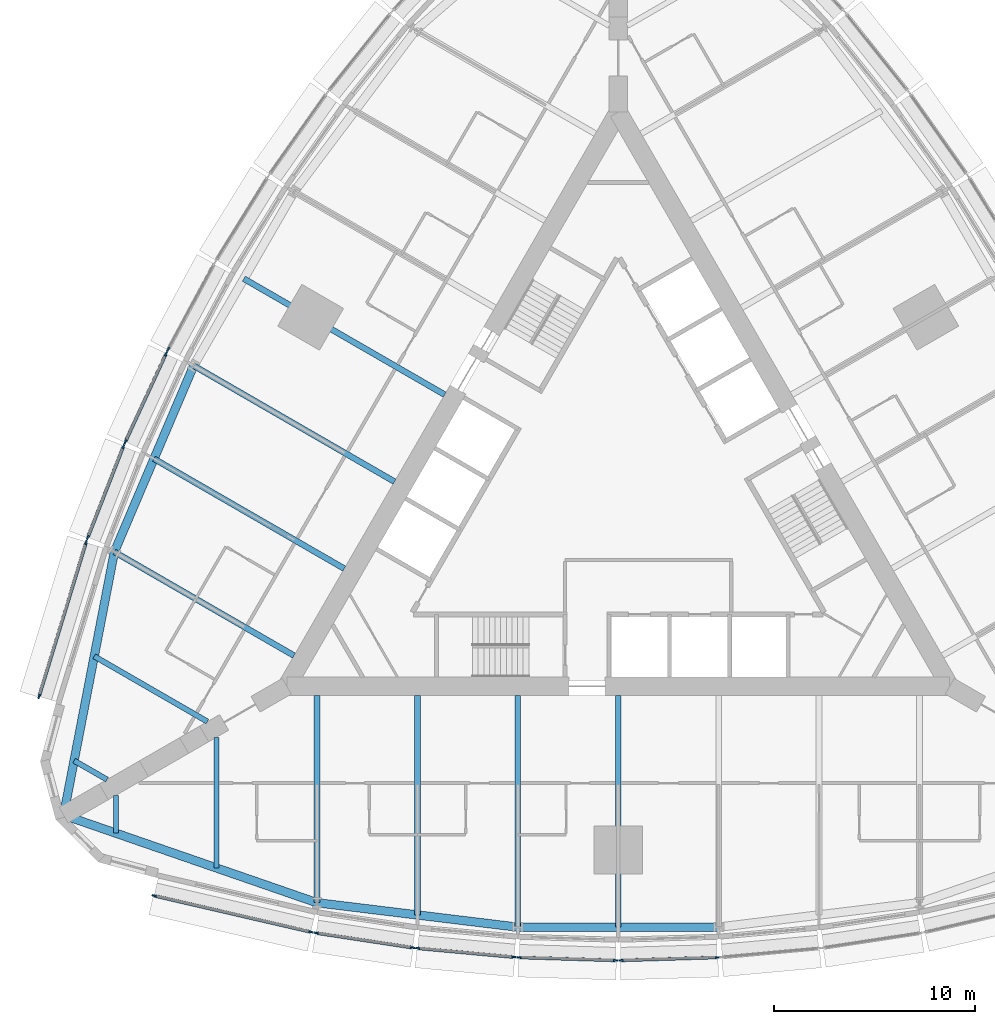
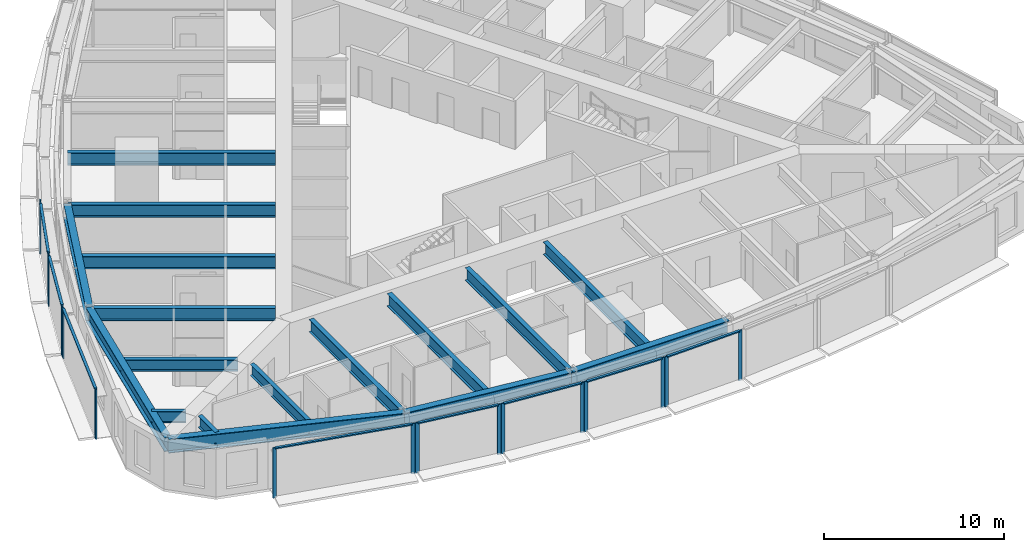
# One storey, part 2 of 14: 25 members, 17 beams, 9 elements without a shape of their own.
"""IFC4 building model written with IfcOpenShell, lengths in metres."""

import ifcopenshell
import ifcopenshell.guid

model = None  # the IFC model being written
_history = None  # IfcOwnerHistory: only IFC2X3 demands one
_inside = {}  # id of a spatial element -> (the spatial element, [elements in it])
_under = {}  # id of a project, library or spatial element -> (it, [spatial elements below it])
_declared = {}  # id of a project -> (the project, [libraries it declares])
_typed = {}  # id of a type object -> (the type object, [elements of that type])
_made_of = {}  # id of a material, layer set ... -> (it, [elements and type objects made of it])


def new_model(schema):
    """Start an empty IFC model of exactly this schema.

    Asked for "IFC4X3", IfcOpenShell would pick the latest addendum, in which some entities
    have other attributes; the version numbers below select the first issue.
    IFC2X3 requires an IfcOwnerHistory on every rooted entity: one is made here for all.
    """
    global model, _history
    if schema == "IFC4X3":
        model = ifcopenshell.file(schema_version=(4, 3, 0, 0))
    else:
        model = ifcopenshell.file(schema=schema)
    _inside.clear()
    _under.clear()
    _declared.clear()
    _typed.clear()
    _made_of.clear()
    _history = None
    if model.schema == "IFC2X3":
        org = make("IfcOrganization", Name="unknown")
        user = make(
            "IfcPersonAndOrganization",
            ThePerson=make("IfcPerson", FamilyName="unknown"),
            TheOrganization=org,
        )
        app = make(
            "IfcApplication",
            ApplicationDeveloper=org,
            Version="unknown",
            ApplicationFullName="unknown",
            ApplicationIdentifier="unknown",
        )
        _history = make(
            "IfcOwnerHistory",
            OwningUser=user,
            OwningApplication=app,
            ChangeAction="ADDED",
            CreationDate=0,
        )
    return model


def make(cls, **values):
    """One entity of the class cls with the attributes given. An attribute that is None is left unset."""
    return model.create_entity(
        cls, **{name: value for name, value in values.items() if value is not None}
    )


def rooted(cls, **values):
    """An entity with a GlobalId (a new one), such as an element, a storey or a relation."""
    return make(cls, GlobalId=ifcopenshell.guid.new(), OwnerHistory=_history, **values)


def si_unit(unit_type, name, prefix=None):
    """IfcSIUnit, for example si_unit("LENGTHUNIT", "METRE", prefix="MILLI")."""
    return make("IfcSIUnit", UnitType=unit_type, Prefix=prefix, Name=name)


def assignment(units):
    """IfcUnitAssignment: the units of a project."""
    return None if units is None else make("IfcUnitAssignment", Units=units)


def point(xyz):
    """IfcCartesianPoint."""
    return None if xyz is None else make("IfcCartesianPoint", Coordinates=xyz)


def direction(xyz):
    """IfcDirection."""
    return None if xyz is None else make("IfcDirection", DirectionRatios=xyz)


def frame(location, z_axis=None, x_axis=None):
    """IfcAxis2Placement3D, a coordinate frame: its origin and axes. An axis left out is left unset."""
    return make(
        "IfcAxis2Placement3D",
        Location=point(location),
        Axis=direction(z_axis),
        RefDirection=direction(x_axis),
    )


def frame_2d(location, x_axis=None):
    """IfcAxis2Placement2D, a coordinate frame in the plane: its origin and x axis."""
    return make(
        "IfcAxis2Placement2D", Location=point(location), RefDirection=direction(x_axis)
    )


def origin():
    """The frame at (0, 0, 0) with its axes left unset."""
    return frame((0.0, 0.0, 0.0))


def origin_2d():
    """The frame at (0, 0) in the plane with its x axis left unset."""
    return frame_2d((0.0, 0.0))


def place(relative_to, where):
    """IfcLocalPlacement: puts the frame where relative to a parent placement (None: the world)."""
    return make(
        "IfcLocalPlacement", PlacementRelTo=relative_to, RelativePlacement=where
    )


def context(
    kind, dimensions, precision=None, world=None, true_north=None, identifier=None
):
    """IfcGeometricRepresentationContext, for example the 3D "Model" context."""
    return make(
        "IfcGeometricRepresentationContext",
        ContextIdentifier=identifier,
        ContextType=kind,
        CoordinateSpaceDimension=dimensions,
        Precision=precision,
        WorldCoordinateSystem=world,
        TrueNorth=true_north,
    )


def subcontext(parent, identifier, kind, view, scale=None):
    """IfcGeometricRepresentationSubContext, for example "Body" below "Model"."""
    return make(
        "IfcGeometricRepresentationSubContext",
        ContextIdentifier=identifier,
        ContextType=kind,
        ParentContext=parent,
        TargetScale=scale,
        TargetView=view,
    )


def project(units=None, contexts=None):
    """IfcProject with its units and contexts."""
    return rooted(
        "IfcProject",
        Name="project",
        RepresentationContexts=contexts,
        UnitsInContext=assignment(units),
    )


def spatial(cls, under=None, at=None, **own):
    """A site, building, storey or space (cls), placed at a placement, below another one or the project."""
    s = rooted(cls, ObjectPlacement=at, **own)
    if under is not None:
        _under.setdefault(under.id(), (under, []))[1].append(s)
    return s


def profile(cls, at=None, kind="AREA", **sizes):
    """A parametric profile (cls). Its sizes go by their IFC names, for example OverallWidth=200.0."""
    return make(cls, ProfileType=kind, Position=at, **sizes)


def rectangle(**sizes):
    """IfcRectangleProfileDef."""
    return profile("IfcRectangleProfileDef", **sizes)


def i_section(**sizes):
    """IfcIShapeProfileDef."""
    return profile("IfcIShapeProfileDef", **sizes)


def extrude(swept, where, along, depth):
    """IfcExtrudedAreaSolid: the profile swept, set in the frame where, extruded along a direction by depth."""
    return make(
        "IfcExtrudedAreaSolid",
        SweptArea=swept,
        Position=where,
        ExtrudedDirection=direction(along),
        Depth=depth,
    )


def shape(context_of_items, identifier, shape_type, items):
    """IfcShapeRepresentation: the items that make up one representation, for example the "Body"."""
    return make(
        "IfcShapeRepresentation",
        ContextOfItems=context_of_items,
        RepresentationIdentifier=identifier,
        RepresentationType=shape_type,
        Items=items,
    )


def material(Name=None, Category=None):
    """IfcMaterial."""
    return make("IfcMaterial", Name=Name, Category=Category)


def material_profile(
    of_material, cross_section, Name=None, Category=None, Priority=None
):
    """IfcMaterialProfile: a cross section and its material."""
    return make(
        "IfcMaterialProfile",
        Name=Name,
        Material=of_material,
        Profile=cross_section,
        Priority=Priority,
        Category=Category,
    )


def profile_set(profiles, Name=None, composite=None):
    """IfcMaterialProfileSet."""
    return make(
        "IfcMaterialProfileSet",
        Name=Name,
        MaterialProfiles=profiles,
        CompositeProfile=composite,
    )


def made_of(thing, what):
    """Note that an element or type object is made of a material, layer set ...; save() writes the relation."""
    if what is not None:
        _made_of.setdefault(what.id(), (what, []))[1].append(thing)
    return thing


def type_object(cls, material=None, **own):
    """A type object (cls), such as IfcWallType, which elements share."""
    return made_of(rooted(cls, **own), material)


def element(
    cls,
    number,
    at=None,
    inside=None,
    cuts=None,
    type_object=None,
    material=None,
    context=None,
    identifier="Body",
    shape_type=None,
    held_by="IfcProductDefinitionShape",
    body=None,
    shapes=None,
    **own,
):
    """One element of the class cls, such as IfcWall. Its Tag is "e" and its number.

    at: its placement. inside: the storey or other place that contains it. cuts: it is an
    opening in that element (IfcRelVoidsElement). A single representation is given by context,
    identifier, shape_type and body (its items); several are given by shapes. held_by: the class
    of the entity that holds the representations. save() writes the other relations.
    """
    e = rooted(cls, Tag="e%d" % number, ObjectPlacement=at, **own)
    if body is not None:
        shapes = [shape(context, identifier, shape_type, body)]
    if shapes is not None:
        e.Representation = make(held_by, Representations=shapes)
    if inside is not None:
        _inside.setdefault(inside.id(), (inside, []))[1].append(e)
    if cuts is not None:
        rooted(
            "IfcRelVoidsElement", RelatingBuildingElement=cuts, RelatedOpeningElement=e
        )
    if type_object is not None:
        _typed.setdefault(type_object.id(), (type_object, []))[1].append(e)
    return made_of(e, material)


def aggregate(whole, parts):
    """IfcRelAggregates: a whole, such as a stair, and the parts it consists of."""
    return rooted("IfcRelAggregates", RelatingObject=whole, RelatedObjects=parts)


def save(model, path):
    """Write the relations noted so far, then the file.

    IfcRelAggregates (storeys below a building ...), IfcRelContainedInSpatialStructure (elements
    in a storey), IfcRelDefinesByType, IfcRelAssociatesMaterial and IfcRelDeclares: one each for
    every whole, place, type object, material and project.
    """
    for whole, parts in _under.values():
        aggregate(whole, parts)
    for where, things in _inside.values():
        rooted(
            "IfcRelContainedInSpatialStructure",
            RelatedElements=things,
            RelatingStructure=where,
        )
    for kind, things in _typed.values():
        rooted("IfcRelDefinesByType", RelatedObjects=things, RelatingType=kind)
    for what, things in _made_of.values():
        rooted("IfcRelAssociatesMaterial", RelatedObjects=things, RelatingMaterial=what)
    for by, libraries in _declared.values():
        rooted("IfcRelDeclares", RelatingContext=by, RelatedDefinitions=libraries)
    model.write(path)


model = new_model("IFC4")

# Units and contexts
model_context = context("Model", 3, precision=1e-05, world=origin(), true_north=direction((0.0, 1.0)))
body_context = subcontext(model_context, "Body", "Model", "MODEL_VIEW")
ifc_project = project(units=[si_unit("LENGTHUNIT", "METRE"), si_unit("AREAUNIT", "SQUARE_METRE"), si_unit("VOLUMEUNIT", "CUBIC_METRE"), si_unit("PLANEANGLEUNIT", "RADIAN"), si_unit("MASSUNIT", "GRAM", prefix="KILO")], contexts=[model_context])

# Site, building, storey
site_placement = place(None, origin())
site = spatial("IfcSite", under=ifc_project, at=site_placement, CompositionType="ELEMENT")
building_placement = place(site_placement, origin())
building = spatial("IfcBuilding", under=site, at=building_placement, Name="Trikona Tower", CompositionType="ELEMENT")
storey_placement = place(building_placement, frame((0.0, 0.0, 62.5)))
storey = spatial("IfcBuildingStorey", under=building, at=storey_placement, Name="L15", CompositionType="ELEMENT", Elevation=62.5)

# Curtain wall, members
ifc_material_1 = material(Name="Aluminium curtain wall system", Category="aluminium")
curtain_wall_type = type_object("IfcCurtainWallType", Name="Curtain wall DS1", PredefinedType="NOTDEFINED", material=ifc_material_1)
curtain_wall_1_placement = place(storey_placement, origin())
curtain_wall_1 = element("IfcCurtainWall", 1, at=curtain_wall_1_placement, inside=storey, type_object=curtain_wall_type, Name="Curtain wall DS1 L15", PredefinedType="NOTDEFINED")
ifc_material_2 = material(Name="Aluminium mullion, pale anodised", Category="aluminium")
ifc_material_profile_1 = material_profile(ifc_material_2, rectangle(XDim=0.080078125, YDim=0.219970703125, at=origin_2d()), Name="MUL-DS1")
ifc_profile_set_1 = profile_set([ifc_material_profile_1], Name="Aluminium mullion, pale anodised")
member_type_1 = type_object("IfcMemberType", Name="Mullion DS1 80x220", PredefinedType="MULLION", material=ifc_profile_set_1)
member_1_placement = place(storey_placement, frame((-23.10546875, -19.951904296875, 0.0), z_axis=(0.0, 0.0, 1.0), x_axis=(0.225343288756, 0.974279427173, 0.0)))
member_1 = element("IfcMember", 2, at=member_1_placement, type_object=member_type_1, Name="CW-DS1 mullion 1", PredefinedType="MULLION", context=body_context, shape_type="SweptSolid", body=[
    extrude(rectangle(XDim=0.080078125, YDim=0.219970703125, at=origin_2d()), origin(), (0.0, 0.0, 1.0), 3.39990234375),
])
member_2_placement = place(storey_placement, frame((-15.30029296875, -21.75732421875, 0.0), z_axis=(0.0, 0.0, 1.0), x_axis=(0.225343288756, 0.974279427173, 0.0)))
member_2 = element("IfcMember", 3, at=member_2_placement, type_object=member_type_1, Name="CW-DS1 mullion 2", PredefinedType="MULLION", context=body_context, shape_type="SweptSolid", body=[
    extrude(rectangle(XDim=0.080078125, YDim=0.219970703125, at=origin_2d()), origin(), (0.0, 0.0, 1.0), 3.39990234375),
])

curtain_wall_2_placement = place(storey_placement, origin())
curtain_wall_2 = element("IfcCurtainWall", 4, at=curtain_wall_2_placement, inside=storey, type_object=curtain_wall_type, Name="Curtain wall DS1 L15", PredefinedType="NOTDEFINED")
member_3_placement = place(storey_placement, frame((-15.03662109375, -21.807861328125, 0.0), z_axis=(0.0, 0.0, 1.0), x_axis=(0.150437693845, 0.988619492156, 0.0)))
member_3 = element("IfcMember", 5, at=member_3_placement, type_object=member_type_1, Name="CW-DS1 mullion 1", PredefinedType="MULLION", context=body_context, shape_type="SweptSolid", body=[
    extrude(rectangle(XDim=0.080078125, YDim=0.219970703125, at=origin_2d()), origin(), (0.0, 0.0, 1.0), 3.39990234375),
])
member_4_placement = place(storey_placement, frame((-10.234130859375, -22.53857421875, 0.0), z_axis=(0.0, 0.0, 1.0), x_axis=(0.150437693845, 0.988619492156, 0.0)))
member_4 = element("IfcMember", 6, at=member_4_placement, type_object=member_type_1, Name="CW-DS1 mullion 2", PredefinedType="MULLION", context=body_context, shape_type="SweptSolid", body=[
    extrude(rectangle(XDim=0.080078125, YDim=0.219970703125, at=origin_2d()), origin(), (0.0, 0.0, 1.0), 3.39990234375),
])

curtain_wall_3_placement = place(storey_placement, origin())
curtain_wall_3 = element("IfcCurtainWall", 7, at=curtain_wall_3_placement, inside=storey, type_object=curtain_wall_type, Name="Curtain wall DS1 L15", PredefinedType="NOTDEFINED")
member_5_placement = place(storey_placement, frame((-9.982177734375, -22.5693359375, 0.0), z_axis=(0.0, 0.0, 1.0), x_axis=(0.090923932737, 0.995857840485, 0.0)))
member_5 = element("IfcMember", 8, at=member_5_placement, type_object=member_type_1, Name="CW-DS1 mullion 1", PredefinedType="MULLION", context=body_context, shape_type="SweptSolid", body=[
    extrude(rectangle(XDim=0.080078125, YDim=0.219970703125, at=origin_2d()), origin(), (0.0, 0.0, 1.0), 3.39990234375),
])
member_6_placement = place(storey_placement, frame((-5.181396484375, -23.007568359375, 0.0), z_axis=(0.0, 0.0, 1.0), x_axis=(0.090923932737, 0.995857840485, 0.0)))
member_6 = element("IfcMember", 9, at=member_6_placement, type_object=member_type_1, Name="CW-DS1 mullion 2", PredefinedType="MULLION", context=body_context, shape_type="SweptSolid", body=[
    extrude(rectangle(XDim=0.080078125, YDim=0.219970703125, at=origin_2d()), origin(), (0.0, 0.0, 1.0), 3.39990234375),
])

curtain_wall_4_placement = place(storey_placement, origin())
curtain_wall_4 = element("IfcCurtainWall", 10, at=curtain_wall_4_placement, inside=storey, type_object=curtain_wall_type, Name="Curtain wall DS1 L15", PredefinedType="NOTDEFINED")
member_7_placement = place(storey_placement, frame((-4.927490234375, -23.02294921875, 0.0), z_axis=(0.0, 0.0, 1.0), x_axis=(0.030436711692, 0.999536695965, 0.0)))
member_7 = element("IfcMember", 11, at=member_7_placement, type_object=member_type_1, Name="CW-DS1 mullion 1", PredefinedType="MULLION", context=body_context, shape_type="SweptSolid", body=[
    extrude(rectangle(XDim=0.080078125, YDim=0.219970703125, at=origin_2d()), origin(), (0.0, 0.0, 1.0), 3.39990234375),
])
member_8_placement = place(storey_placement, frame((-0.12744140625, -23.169189453125, 0.0), z_axis=(0.0, 0.0, 1.0), x_axis=(0.030436711692, 0.999536695965, 0.0)))
member_8 = element("IfcMember", 12, at=member_8_placement, type_object=member_type_1, Name="CW-DS1 mullion 2", PredefinedType="MULLION", context=body_context, shape_type="SweptSolid", body=[
    extrude(rectangle(XDim=0.080078125, YDim=0.219970703125, at=origin_2d()), origin(), (0.0, 0.0, 1.0), 3.39990234375),
])

curtain_wall_5_placement = place(storey_placement, origin())
curtain_wall_5 = element("IfcCurtainWall", 13, at=curtain_wall_5_placement, inside=storey, type_object=curtain_wall_type, Name="Curtain wall DS1 L15", PredefinedType="NOTDEFINED")
member_9_placement = place(storey_placement, frame((0.12744140625, -23.169189453125, 0.0), z_axis=(0.0, 0.0, 1.0), x_axis=(-0.030436711692, 0.999536695965, 0.0)))
member_9 = element("IfcMember", 14, at=member_9_placement, type_object=member_type_1, Name="CW-DS1 mullion 1", PredefinedType="MULLION", context=body_context, shape_type="SweptSolid", body=[
    extrude(rectangle(XDim=0.080078125, YDim=0.219970703125, at=origin_2d()), origin(), (0.0, 0.0, 1.0), 3.39990234375),
])
member_10_placement = place(storey_placement, frame((4.927490234375, -23.02294921875, 0.0), z_axis=(0.0, 0.0, 1.0), x_axis=(-0.030436711692, 0.999536695965, 0.0)))
member_10 = element("IfcMember", 15, at=member_10_placement, type_object=member_type_1, Name="CW-DS1 mullion 2", PredefinedType="MULLION", context=body_context, shape_type="SweptSolid", body=[
    extrude(rectangle(XDim=0.080078125, YDim=0.219970703125, at=origin_2d()), origin(), (0.0, 0.0, 1.0), 3.39990234375),
])

# Curtain wall, member
curtain_wall_6_placement = place(storey_placement, origin())
curtain_wall_6 = element("IfcCurtainWall", 16, at=curtain_wall_6_placement, inside=storey, type_object=curtain_wall_type, Name="Curtain wall DS1 L15", PredefinedType="NOTDEFINED")
member_11_placement = place(storey_placement, frame((-22.402099609375, 7.244140625, 0.0), z_axis=(0.0, 0.0, 1.0), x_axis=(0.880843080975, -0.473408350896, 0.0)))
member_11 = element("IfcMember", 17, at=member_11_placement, type_object=member_type_1, Name="CW-DS1 mullion 2", PredefinedType="MULLION", context=body_context, shape_type="SweptSolid", body=[
    extrude(rectangle(XDim=0.080078125, YDim=0.219970703125, at=origin_2d()), origin(), (0.0, 0.0, 1.0), 3.39990234375),
])
aggregate(curtain_wall_6, [member_11])

# Curtain wall, members
curtain_wall_7_placement = place(storey_placement, origin())
curtain_wall_7 = element("IfcCurtainWall", 18, at=curtain_wall_7_placement, inside=storey, type_object=curtain_wall_type, Name="Curtain wall DS1 L15", PredefinedType="NOTDEFINED")
member_12_placement = place(storey_placement, frame((-22.515869140625, 7.0166015625, 0.0), z_axis=(0.0, 0.0, 1.0), x_axis=(0.907898459992, -0.419190155352, 0.0)))
member_12 = element("IfcMember", 19, at=member_12_placement, type_object=member_type_1, Name="CW-DS1 mullion 1", PredefinedType="MULLION", context=body_context, shape_type="SweptSolid", body=[
    extrude(rectangle(XDim=0.080078125, YDim=0.219970703125, at=origin_2d()), origin(), (0.0, 0.0, 1.0), 3.39990234375),
])
member_13_placement = place(storey_placement, frame((-24.53662109375, 2.6396484375, 0.0), z_axis=(0.0, 0.0, 1.0), x_axis=(0.907898459992, -0.419190155352, 0.0)))
member_13 = element("IfcMember", 20, at=member_13_placement, type_object=member_type_1, Name="CW-DS1 mullion 2", PredefinedType="MULLION", context=body_context, shape_type="SweptSolid", body=[
    extrude(rectangle(XDim=0.080078125, YDim=0.219970703125, at=origin_2d()), origin(), (0.0, 0.0, 1.0), 3.39990234375),
])

curtain_wall_8_placement = place(storey_placement, origin())
curtain_wall_8 = element("IfcCurtainWall", 21, at=curtain_wall_8_placement, inside=storey, type_object=curtain_wall_type, Name="Curtain wall DS1 L15", PredefinedType="NOTDEFINED")
member_14_placement = place(storey_placement, frame((-24.63623046875, 2.40625, 0.0), z_axis=(0.0, 0.0, 1.0), x_axis=(0.931395989443, -0.36400756977, 0.0)))
member_14 = element("IfcMember", 22, at=member_14_placement, type_object=member_type_1, Name="CW-DS1 mullion 1", PredefinedType="MULLION", context=body_context, shape_type="SweptSolid", body=[
    extrude(rectangle(XDim=0.080078125, YDim=0.219970703125, at=origin_2d()), origin(), (0.0, 0.0, 1.0), 3.39990234375),
])
member_15_placement = place(storey_placement, frame((-26.404296875, -2.1181640625, 0.0), z_axis=(0.0, 0.0, 1.0), x_axis=(0.931395989443, -0.36400756977, 0.0)))
member_15 = element("IfcMember", 23, at=member_15_placement, type_object=member_type_1, Name="CW-DS1 mullion 2", PredefinedType="MULLION", context=body_context, shape_type="SweptSolid", body=[
    extrude(rectangle(XDim=0.080078125, YDim=0.219970703125, at=origin_2d()), origin(), (0.0, 0.0, 1.0), 3.39990234375),
])

curtain_wall_9_placement = place(storey_placement, origin())
curtain_wall_9 = element("IfcCurtainWall", 24, at=curtain_wall_9_placement, inside=storey, type_object=curtain_wall_type, Name="Curtain wall DS1 L15", PredefinedType="NOTDEFINED")
member_16_placement = place(storey_placement, frame((-26.492431640625, -2.371826171875, 0.0), z_axis=(0.0, 0.0, 1.0), x_axis=(0.956423115383, -0.291984287868, 0.0)))
member_16 = element("IfcMember", 25, at=member_16_placement, type_object=member_type_1, Name="CW-DS1 mullion 1", PredefinedType="MULLION", context=body_context, shape_type="SweptSolid", body=[
    extrude(rectangle(XDim=0.080078125, YDim=0.219970703125, at=origin_2d()), origin(), (0.0, 0.0, 1.0), 3.39990234375),
])
member_17_placement = place(storey_placement, frame((-28.83154296875, -10.033935546875, 0.0), z_axis=(0.0, 0.0, 1.0), x_axis=(0.956423115383, -0.291984287868, 0.0)))
member_17 = element("IfcMember", 26, at=member_17_placement, type_object=member_type_1, Name="CW-DS1 mullion 2", PredefinedType="MULLION", context=body_context, shape_type="SweptSolid", body=[
    extrude(rectangle(XDim=0.080078125, YDim=0.219970703125, at=origin_2d()), origin(), (0.0, 0.0, 1.0), 3.39990234375),
])

# Beams
ifc_material_3 = material(Name="Steel ASTM A992 Grade 50", Category="steel")
ifc_material_profile_2 = material_profile(ifc_material_3, i_section(OverallWidth=0.2666015625, OverallDepth=0.76953125, WebThickness=0.015625, FlangeThickness=0.025390625, at=origin_2d()), Name="W30X132")
ifc_profile_set_2 = profile_set([ifc_material_profile_2], Name="Steel ASTM A992 Grade 50")
beam_type_1 = type_object("IfcBeamType", Name="Steel beam W30x132 (wedge)", PredefinedType="BEAM", material=ifc_profile_set_2)
beam_1_placement = place(storey_placement, frame((-25.0, -14.953369140625, 2.85009765625), z_axis=(0.0, -1.0, 0.0), x_axis=(1.0, 0.0, 0.0)))
element("IfcBeam", 27, at=beam_1_placement, inside=storey, type_object=beam_type_1, Name="Floor beam L16 F1 u-25", PredefinedType="BEAM", context=body_context, shape_type="SweptSolid", body=[
    extrude(i_section(OverallWidth=0.2666015625, OverallDepth=0.76953125, WebThickness=0.015625, FlangeThickness=0.025390625, at=origin_2d()), origin(), (0.0, 0.0, 1.0), 1.890380859375),
])
for number, where, z_axis, x_axis, name in (
    (28, (-20.0, -12.066650390625, 2.85009765625), (0.0, -1.0, 0.0), (1.0, 0.0, 0.0), "Floor beam L16 F1 u-20"),
    (29, (-20.449951171875, -11.287109375, 2.85009765625), (-0.866022504693, 0.50000502134, 0.0), (-0.50000502134, -0.866022504693, 0.0), "Floor beam L16 F3 u20"),
):
    element("IfcBeam", number, at=place(storey_placement, frame(where, z_axis=z_axis, x_axis=x_axis)), inside=storey, type_object=beam_type_1, Name=name, PredefinedType="BEAM", context=body_context, shape_type="SweptSolid", body=[
        extrude(i_section(OverallWidth=0.2666015625, OverallDepth=0.76953125, WebThickness=0.015625, FlangeThickness=0.025390625, at=origin_2d()), origin(), (0.0, 0.0, 1.0), 6.5068359375),
    ])
beam_2_placement = place(storey_placement, frame((-25.449951171875, -14.173828125, 2.85009765625), z_axis=(-0.866065156741, 0.499931139538, 0.0), x_axis=(-0.499931139538, -0.866065156741, 0.0)))
element("IfcBeam", 30, at=beam_2_placement, inside=storey, type_object=beam_type_1, Name="Floor beam L16 F3 u25", PredefinedType="BEAM", context=body_context, shape_type="SweptSolid", body=[
    extrude(i_section(OverallWidth=0.2666015625, OverallDepth=0.76953125, WebThickness=0.015625, FlangeThickness=0.025390625, at=origin_2d()), origin(), (0.0, 0.0, 1.0), 1.890380859375),
])
ifc_material_4 = material(Name="Steel ASTM A992 Grade 50", Category="steel")
ifc_material_profile_3 = material_profile(ifc_material_4, i_section(OverallWidth=0.2919921875, OverallDepth=0.845703125, WebThickness=0.015380859375, FlangeThickness=0.0244140625, at=origin_2d()), Name="W33X141")
ifc_profile_set_3 = profile_set([ifc_material_profile_3], Name="Steel ASTM A992 Grade 50")
beam_type_2 = type_object("IfcBeamType", Name="Steel beam W33x141 (radial typ)", PredefinedType="BEAM", material=ifc_profile_set_3)
beam_3_placement = place(storey_placement, frame((-15.0, -9.976318359375, 2.81201171875), z_axis=(0.0, -1.0, 0.0), x_axis=(1.0, 0.0, 0.0)))
element("IfcBeam", 31, at=beam_3_placement, inside=storey, type_object=beam_type_2, Name="Floor beam L16 F1 u-15", PredefinedType="BEAM", context=body_context, shape_type="SweptSolid", body=[
    extrude(i_section(OverallWidth=0.2919921875, OverallDepth=0.845703125, WebThickness=0.015380859375, FlangeThickness=0.0244140625, at=origin_2d()), origin(), (0.0, 0.0, 1.0), 10.32666015625),
])
beam_4_placement = place(storey_placement, frame((-10.0, -9.976318359375, 2.81201171875), z_axis=(0.0, -1.0, 0.0), x_axis=(1.0, 0.0, 0.0)))
element("IfcBeam", 32, at=beam_4_placement, inside=storey, type_object=beam_type_2, Name="Floor beam L16 F1 u-10", PredefinedType="BEAM", context=body_context, shape_type="SweptSolid", body=[
    extrude(i_section(OverallWidth=0.2919921875, OverallDepth=0.845703125, WebThickness=0.015380859375, FlangeThickness=0.0244140625, at=origin_2d()), origin(), (0.0, 0.0, 1.0), 10.935302734375),
])
for number, where, z_axis, x_axis, name in (
    (33, (-5.0, -9.976318359375, 2.81201171875), (0.0, -1.0, 0.0), (1.0, 0.0, 0.0), "Floor beam L16 F1 u-5"),
    (34, (0.0, -9.976318359375, 2.81201171875), (0.0, -1.0, 0.0), (1.0, 0.0, 0.0), "Floor beam L16 F1 u0"),
    (35, (-8.6396484375, 4.988037109375, 2.81201171875), (-0.866020765707, 0.500008033299, 0.0), (-0.500008033299, -0.866020765707, 0.0), "Floor beam L16 F3 u0"),
    (36, (-11.1396484375, 0.657958984375, 2.81201171875), (-0.866020765707, 0.500008033299, 0.0), (-0.500008033299, -0.866020765707, 0.0), "Floor beam L16 F3 u5"),
):
    element("IfcBeam", number, at=place(storey_placement, frame(where, z_axis=z_axis, x_axis=x_axis)), inside=storey, type_object=beam_type_2, Name=name, PredefinedType="BEAM", context=body_context, shape_type="SweptSolid", body=[
        extrude(i_section(OverallWidth=0.2919921875, OverallDepth=0.845703125, WebThickness=0.015380859375, FlangeThickness=0.0244140625, at=origin_2d()), origin(), (0.0, 0.0, 1.0), 11.544189453125),
    ])
beam_5_placement = place(storey_placement, frame((-13.6396484375, -3.672119140625, 2.81201171875), z_axis=(-0.866025348605, 0.500000095573, 0.0), x_axis=(-0.500000095573, -0.866025348605, 0.0)))
element("IfcBeam", 37, at=beam_5_placement, inside=storey, type_object=beam_type_2, Name="Floor beam L16 F3 u10", PredefinedType="BEAM", context=body_context, shape_type="SweptSolid", body=[
    extrude(i_section(OverallWidth=0.2919921875, OverallDepth=0.845703125, WebThickness=0.015380859375, FlangeThickness=0.0244140625, at=origin_2d()), origin(), (0.0, 0.0, 1.0), 10.935546875),
])
beam_6_placement = place(storey_placement, frame((-16.1396484375, -8.002197265625, 2.81201171875), z_axis=(-0.866030471684, 0.499991222037, 0.0), x_axis=(-0.499991222037, -0.866030471684, 0.0)))
element("IfcBeam", 38, at=beam_6_placement, inside=storey, type_object=beam_type_2, Name="Floor beam L16 F3 u15", PredefinedType="BEAM", context=body_context, shape_type="SweptSolid", body=[
    extrude(i_section(OverallWidth=0.2919921875, OverallDepth=0.845703125, WebThickness=0.015380859375, FlangeThickness=0.0244140625, at=origin_2d()), origin(), (0.0, 0.0, 1.0), 10.326904296875),
])
ifc_material_5 = material(Name="Steel ASTM A992 Grade 50", Category="steel")
ifc_material_profile_4 = material_profile(ifc_material_5, i_section(OverallWidth=0.424072265625, OverallDepth=0.947509765625, WebThickness=0.02392578125, FlangeThickness=0.042724609375, at=origin_2d()), Name="W36X302")
ifc_profile_set_4 = profile_set([ifc_material_profile_4], Name="Steel ASTM A992 Grade 50")
beam_type_3 = type_object("IfcBeamType", Name="Steel beam W36x302 (spandrel)", PredefinedType="SPANDREL", material=ifc_profile_set_4)
beam_7_placement = place(storey_placement, frame((-27.6103515625, -15.94091796875, 2.76123046875), z_axis=(0.945056965739, -0.326905692071, 0.0), x_axis=(0.326905692071, 0.945056965739, 0.0)))
element("IfcBeam", 39, at=beam_7_placement, inside=storey, type_object=beam_type_3, Name="Spandrel beam L16 F1-1", PredefinedType="SPANDREL", context=body_context, shape_type="SweptSolid", body=[
    extrude(i_section(OverallWidth=0.424072265625, OverallDepth=0.947509765625, WebThickness=0.02392578125, FlangeThickness=0.042724609375, at=origin_2d()), origin(), (0.0, 0.0, 1.0), 13.343505859375),
])
beam_8_placement = place(storey_placement, frame((-15.0, -20.302978515625, 2.76123046875), z_axis=(0.99266951126, -0.120860421207, 0.0), x_axis=(0.120860421207, 0.99266951126, 0.0)))
element("IfcBeam", 40, at=beam_8_placement, inside=storey, type_object=beam_type_3, Name="Spandrel beam L16 F1-2", PredefinedType="SPANDREL", context=body_context, shape_type="SweptSolid", body=[
    extrude(i_section(OverallWidth=0.424072265625, OverallDepth=0.947509765625, WebThickness=0.02392578125, FlangeThickness=0.042724609375, at=origin_2d()), origin(), (0.0, 0.0, 1.0), 10.07373046875),
])
beam_9_placement = place(storey_placement, frame((-5.0, -21.5205078125, 2.76123046875), z_axis=(1.0, 0.0, 0.0), x_axis=(0.0, 1.0, 0.0)))
element("IfcBeam", 41, at=beam_9_placement, inside=storey, type_object=beam_type_3, Name="Spandrel beam L16 F1-3", PredefinedType="SPANDREL", context=body_context, shape_type="SweptSolid", body=[
    extrude(i_section(OverallWidth=0.424072265625, OverallDepth=0.947509765625, WebThickness=0.02392578125, FlangeThickness=0.042724609375, at=origin_2d()), origin(), (0.0, 0.0, 1.0), 10.0),
])
beam_10_placement = place(storey_placement, frame((-21.13720703125, 6.43017578125, 2.76123046875), z_axis=(-0.391683514847, -0.920100007715, 0.0), x_axis=(0.920100007715, -0.391683514847, 0.0)))
element("IfcBeam", 42, at=beam_10_placement, inside=storey, type_object=beam_type_3, Name="Spandrel beam L16 F3-4", PredefinedType="SPANDREL", context=body_context, shape_type="SweptSolid", body=[
    extrude(i_section(OverallWidth=0.424072265625, OverallDepth=0.947509765625, WebThickness=0.02392578125, FlangeThickness=0.042724609375, at=origin_2d()), origin(), (0.0, 0.0, 1.0), 10.073974609375),
])
beam_11_placement = place(storey_placement, frame((-25.0830078125, -2.8388671875, 2.76123046875), z_axis=(-0.189405184036, -0.981899015307, 0.0), x_axis=(0.981899015307, -0.189405184036, 0.0)))
element("IfcBeam", 43, at=beam_11_placement, inside=storey, type_object=beam_type_3, Name="Spandrel beam L16 F3-5", PredefinedType="SPANDREL", context=body_context, shape_type="SweptSolid", body=[
    extrude(i_section(OverallWidth=0.424072265625, OverallDepth=0.947509765625, WebThickness=0.02392578125, FlangeThickness=0.042724609375, at=origin_2d()), origin(), (0.0, 0.0, 1.0), 13.343505859375),
])

# Member
ifc_material_6 = material(Name="Aluminium transom, pale anodised", Category="aluminium")
ifc_material_profile_5 = material_profile(ifc_material_6, rectangle(XDim=0.159912109375, YDim=0.080078125, at=origin_2d()), Name="TRN-DS1")
ifc_profile_set_5 = profile_set([ifc_material_profile_5], Name="Aluminium transom, pale anodised")
member_type_2 = type_object("IfcMemberType", Name="Transom DS1 80x160", PredefinedType="USERDEFINED", material=ifc_profile_set_5)
member_18_placement = place(storey_placement, frame((-23.06640625, -19.9609375, 3.360107421875), z_axis=(0.974275371842, -0.225360821398, 0.0), x_axis=(0.225360821398, 0.974275371842, 0.0)))
member_18 = element("IfcMember", 44, at=member_18_placement, type_object=member_type_2, Name="CW-DS1 transom 1.1", ObjectType="TRANSOM", PredefinedType="USERDEFINED", context=body_context, shape_type="SweptSolid", body=[
    extrude(rectangle(XDim=0.159912109375, YDim=0.080078125, at=origin_2d()), origin(), (0.0, 0.0, 1.0), 7.93115234375),
])

aggregate(curtain_wall_1, [member_1, member_2, member_18])

member_19_placement = place(storey_placement, frame((-14.9970703125, -21.813720703125, 3.360107421875), z_axis=(0.988619663412, -0.150436568413, 0.0), x_axis=(0.150436568413, 0.988619663412, 0.0)))
member_19 = element("IfcMember", 45, at=member_19_placement, type_object=member_type_2, Name="CW-DS1 transom 1.1", ObjectType="TRANSOM", PredefinedType="USERDEFINED", context=body_context, shape_type="SweptSolid", body=[
    extrude(rectangle(XDim=0.159912109375, YDim=0.080078125, at=origin_2d()), origin(), (0.0, 0.0, 1.0), 4.77783203125),
])

aggregate(curtain_wall_2, [member_3, member_4, member_19])

member_20_placement = place(storey_placement, frame((-9.9423828125, -22.57275390625, 3.360107421875), z_axis=(0.995855977008, -0.090944340438, 0.0), x_axis=(0.090944340438, 0.995855977008, 0.0)))
member_20 = element("IfcMember", 46, at=member_20_placement, type_object=member_type_2, Name="CW-DS1 transom 1.1", ObjectType="TRANSOM", PredefinedType="USERDEFINED", context=body_context, shape_type="SweptSolid", body=[
    extrude(rectangle(XDim=0.159912109375, YDim=0.080078125, at=origin_2d()), origin(), (0.0, 0.0, 1.0), 4.74072265625),
])

aggregate(curtain_wall_3, [member_5, member_6, member_20])

member_21_placement = place(storey_placement, frame((-4.887451171875, -23.024169921875, 3.360107421875), z_axis=(0.999536232946, -0.030451913371, 0.0), x_axis=(0.030451913371, 0.999536232946, 0.0)))
member_21 = element("IfcMember", 47, at=member_21_placement, type_object=member_type_2, Name="CW-DS1 transom 1.1", ObjectType="TRANSOM", PredefinedType="USERDEFINED", context=body_context, shape_type="SweptSolid", body=[
    extrude(rectangle(XDim=0.159912109375, YDim=0.080078125, at=origin_2d()), origin(), (0.0, 0.0, 1.0), 4.72216796875),
])

aggregate(curtain_wall_4, [member_7, member_8, member_21])

member_22_placement = place(storey_placement, frame((0.16748046875, -23.16796875, 3.360107421875), z_axis=(0.999536232946, 0.030451913371, 0.0), x_axis=(-0.030451913371, 0.999536232946, 0.0)))
member_22 = element("IfcMember", 48, at=member_22_placement, type_object=member_type_2, Name="CW-DS1 transom 1.1", ObjectType="TRANSOM", PredefinedType="USERDEFINED", context=body_context, shape_type="SweptSolid", body=[
    extrude(rectangle(XDim=0.159912109375, YDim=0.080078125, at=origin_2d()), origin(), (0.0, 0.0, 1.0), 4.72216796875),
])

aggregate(curtain_wall_5, [member_9, member_10, member_22])

member_23_placement = place(storey_placement, frame((-22.53271484375, 6.980224609375, 3.360107421875), z_axis=(-0.419188800665, -0.90789908547, 0.0), x_axis=(0.90789908547, -0.419188800665, 0.0)))
member_23 = element("IfcMember", 49, at=member_23_placement, type_object=member_type_2, Name="CW-DS1 transom 1.1", ObjectType="TRANSOM", PredefinedType="USERDEFINED", context=body_context, shape_type="SweptSolid", body=[
    extrude(rectangle(XDim=0.159912109375, YDim=0.080078125, at=origin_2d()), origin(), (0.0, 0.0, 1.0), 4.74072265625),
])

aggregate(curtain_wall_7, [member_12, member_13, member_23])

member_24_placement = place(storey_placement, frame((-24.650634765625, 2.368896484375, 3.360107421875), z_axis=(-0.364048647668, -0.931379934362, 0.0), x_axis=(0.931379934362, -0.364048647668, 0.0)))
member_24 = element("IfcMember", 50, at=member_24_placement, type_object=member_type_2, Name="CW-DS1 transom 1.1", ObjectType="TRANSOM", PredefinedType="USERDEFINED", context=body_context, shape_type="SweptSolid", body=[
    extrude(rectangle(XDim=0.159912109375, YDim=0.080078125, at=origin_2d()), origin(), (0.0, 0.0, 1.0), 4.777587890625),
])

aggregate(curtain_wall_8, [member_14, member_15, member_24])

member_25_placement = place(storey_placement, frame((-26.504150390625, -2.409912109375, 3.360107421875), z_axis=(-0.291967490203, -0.956428243343, 0.0), x_axis=(0.956428243343, -0.291967490203, 0.0)))
member_25 = element("IfcMember", 51, at=member_25_placement, type_object=member_type_2, Name="CW-DS1 transom 1.1", ObjectType="TRANSOM", PredefinedType="USERDEFINED", context=body_context, shape_type="SweptSolid", body=[
    extrude(rectangle(XDim=0.159912109375, YDim=0.080078125, at=origin_2d()), origin(), (0.0, 0.0, 1.0), 7.93115234375),
])

aggregate(curtain_wall_9, [member_16, member_17, member_25])

save(model, "model.ifc")
